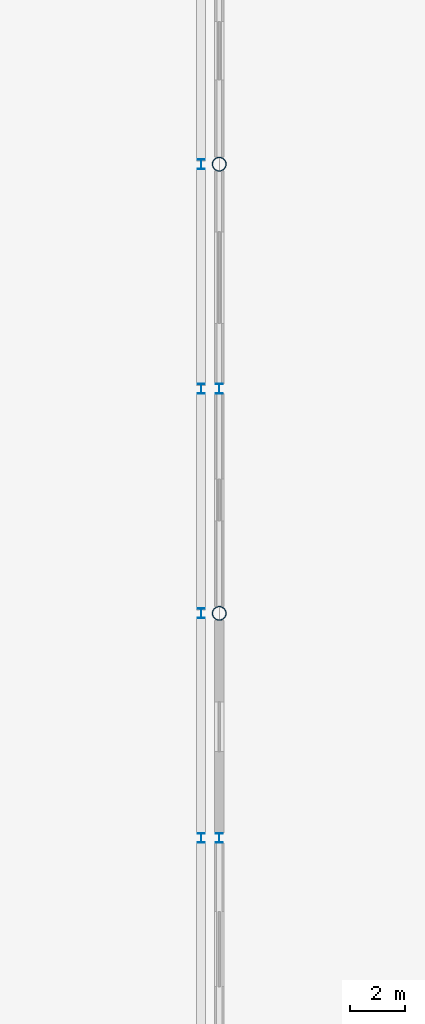
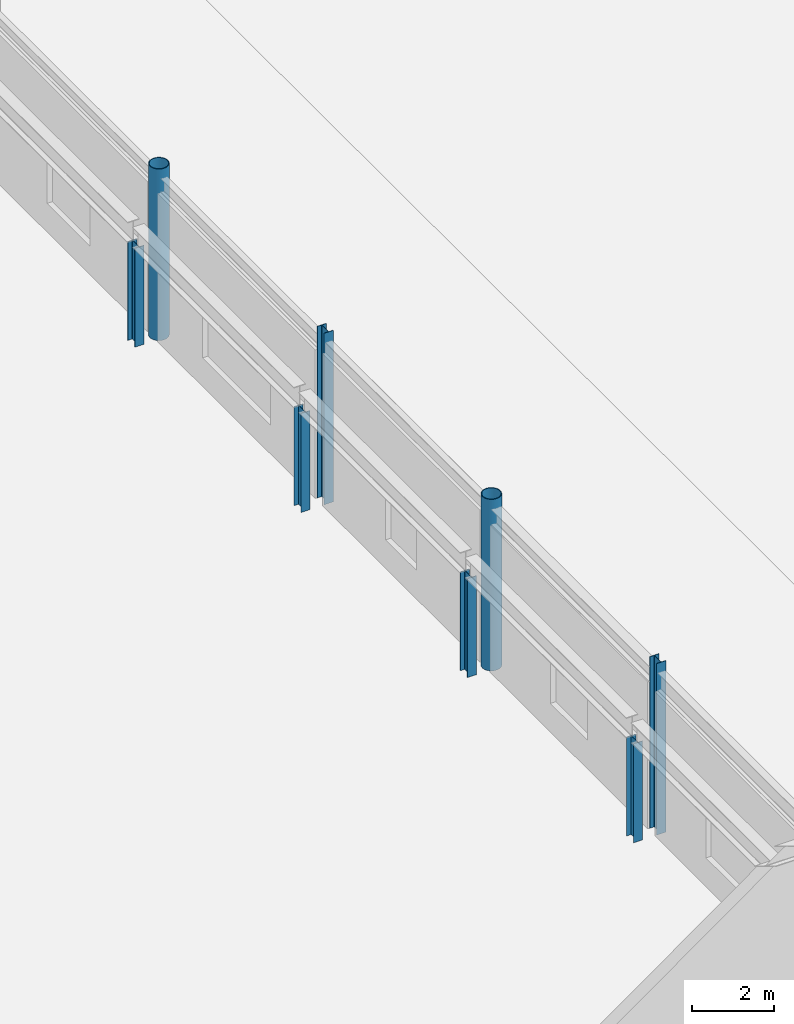
# One storey, part 8 of 99: 8 columns.
"""IFC4 building model written with IfcOpenShell, lengths in metres."""

from ifc_helpers import new_model, si_unit, direction, frame, origin, origin_2d, place, context, subcontext, project, spatial, hollow_circle, i_section, extrude, material, material_profile, profile_set, type_object, element, save


model = new_model("IFC4")

# Units and contexts
model_context = context("Model", 3, precision=1e-05, world=origin(), true_north=direction((0.0, 1.0)))
body_context = subcontext(model_context, "Body", "Model", "MODEL_VIEW")
ifc_project = project(units=[si_unit("LENGTHUNIT", "METRE"), si_unit("AREAUNIT", "SQUARE_METRE"), si_unit("VOLUMEUNIT", "CUBIC_METRE"), si_unit("PLANEANGLEUNIT", "RADIAN"), si_unit("MASSUNIT", "GRAM", prefix="KILO")], contexts=[model_context])

# Site, building, storey
site_placement = place(None, origin())
site = spatial("IfcSite", under=ifc_project, at=site_placement, CompositionType="ELEMENT")
building_placement = place(site_placement, origin())
building = spatial("IfcBuilding", under=site, at=building_placement, Name="Vaudrelin Polytechnic", CompositionType="ELEMENT")
storey_placement = place(building_placement, origin())
storey = spatial("IfcBuildingStorey", under=building, at=storey_placement, Name="L00", CompositionType="ELEMENT", Elevation=0.0)

# Columns
ifc_material_1 = material(Name="Steel CSA G40.21 350WT", Category="steel")
ifc_material_profile_1 = material_profile(ifc_material_1, hollow_circle(Radius=0.25390625, WallThickness=0.01904296875, at=origin_2d()), Name="CHS508.0x19.1")
ifc_profile_set_1 = profile_set([ifc_material_profile_1], Name="Steel CSA G40.21 350WT")
column_type_1 = type_object("IfcColumnType", Name="COL-C-TR508", PredefinedType="COLUMN", material=ifc_profile_set_1)
for number, where, z_axis, x_axis, name in (
    (1, (32.39990234375, 64.800048828125, 0.0), (0.0, 0.0, 1.0), (1.0, 0.0, 0.0), "Column L00 5-9"),
    (2, (32.39990234375, 81.0, 0.0), (0.0, 0.0, 1.0), (1.0, 0.0, 0.0), "Column L00 5-11"),
):
    element("IfcColumn", number, at=place(storey_placement, frame(where, z_axis=z_axis, x_axis=x_axis)), inside=storey, type_object=column_type_1, Name=name, PredefinedType="COLUMN", context=body_context, shape_type="SweptSolid", body=[
        extrude(hollow_circle(Radius=0.25390625, WallThickness=0.01904296875, at=origin_2d()), origin(), (0.0, 0.0, 1.0), 5.10009765625),
    ])
ifc_material_2 = material(Name="Steel CSA G40.21 350W", Category="steel")
ifc_material_profile_2 = material_profile(ifc_material_2, i_section(OverallWidth=0.25390625, OverallDepth=0.35302734375, WebThickness=0.009521484375, FlangeThickness=0.016357421875, FilletRadius=0.01611328125, at=origin_2d()), Name="W360x91")
ifc_profile_set_2 = profile_set([ifc_material_profile_2], Name="Steel CSA G40.21 350W")
column_type_2 = type_object("IfcColumnType", Name="COL-C-W360", PredefinedType="PILASTER", material=ifc_profile_set_2)
for number, where, z_axis, x_axis, name in (
    (3, (32.39990234375, 56.699951171875, 0.0), (0.0, 0.0, 1.0), (1.0, 0.0, 0.0), "Column L00 5-8"),
    (4, (32.39990234375, 72.89990234375, 0.0), (0.0, 0.0, 1.0), (1.0, 0.0, 0.0), "Column L00 5-10"),
):
    element("IfcColumn", number, at=place(storey_placement, frame(where, z_axis=z_axis, x_axis=x_axis)), inside=storey, type_object=column_type_2, Name=name, PredefinedType="PILASTER", context=body_context, shape_type="SweptSolid", body=[
        extrude(i_section(OverallWidth=0.25390625, OverallDepth=0.35302734375, WebThickness=0.009521484375, FlangeThickness=0.016357421875, FilletRadius=0.01611328125, at=origin_2d()), origin(), (0.0, 0.0, 1.0), 5.10009765625),
    ])
for number, where, z_axis, x_axis, name in (
    (5, (31.75, 56.699951171875, 0.0), (0.0, 0.0, 1.0), (1.0, 0.0, 0.0), "Crane runway support post EAST-7"),
    (6, (31.75, 64.800048828125, 0.0), (0.0, 0.0, 1.0), (1.0, 0.0, 0.0), "Crane runway support post EAST-8"),
    (7, (31.75, 72.89990234375, 0.0), (0.0, 0.0, 1.0), (1.0, 0.0, 0.0), "Crane runway support post EAST-9"),
    (8, (31.75, 81.0, 0.0), (0.0, 0.0, 1.0), (1.0, 0.0, 0.0), "Crane runway support post EAST-10"),
):
    element("IfcColumn", number, at=place(storey_placement, frame(where, z_axis=z_axis, x_axis=x_axis)), inside=storey, type_object=column_type_2, Name=name, PredefinedType="PILASTER", context=body_context, shape_type="SweptSolid", body=[
        extrude(i_section(OverallWidth=0.25390625, OverallDepth=0.35302734375, WebThickness=0.009521484375, FlangeThickness=0.016357421875, FilletRadius=0.01611328125, at=origin_2d()), origin(), (0.0, 0.0, 1.0), 2.943115234375),
    ])

save(model, "model.ifc")
